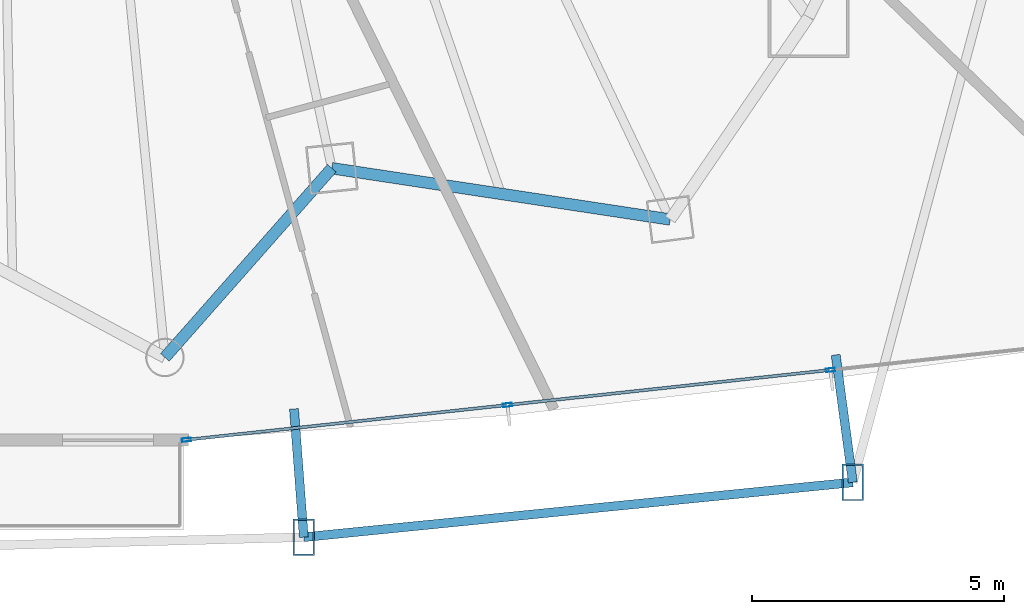
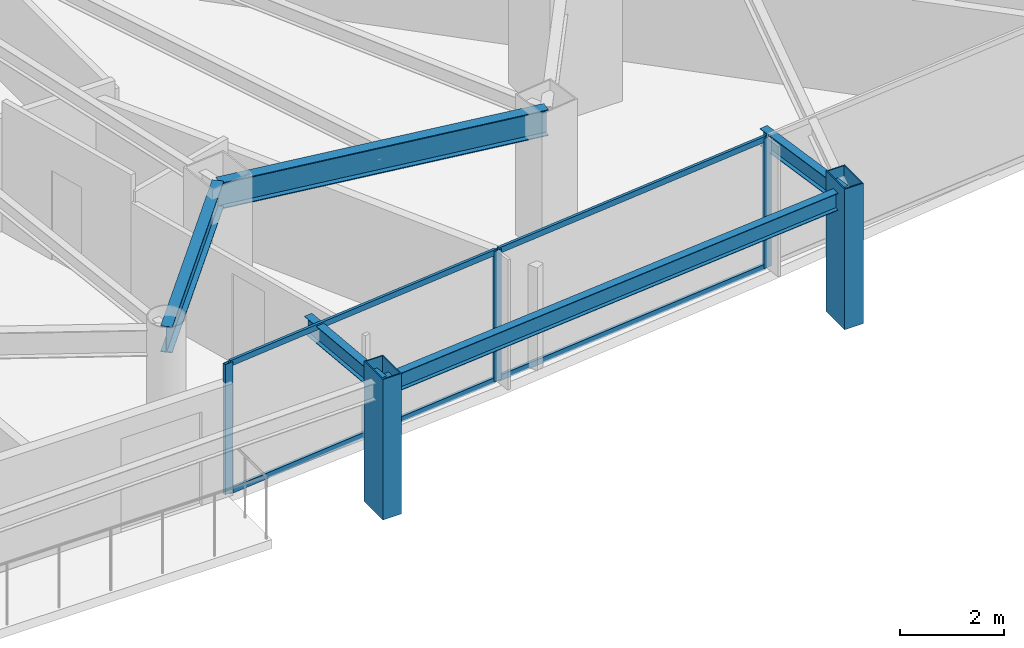
# One storey, part 12 of 34: 9 members, 5 beams, 1 element without a shape of its own.
"""IFC4 building model written with IfcOpenShell, lengths in metres."""

from ifc_helpers import new_model, si_unit, direction, frame, origin, origin_2d, place, context, subcontext, project, spatial, hollow_rectangle, i_section, extrude, material, layer, layer_set, material_profile, profile_set, type_object, element, aggregate, save


model = new_model("IFC4")

# Units and contexts
model_context = context("Model", 3, precision=1e-05, world=origin(), true_north=direction((0.0, 1.0)))
body_context = subcontext(model_context, "Body", "Model", "MODEL_VIEW")
ifc_project = project(units=[si_unit("LENGTHUNIT", "METRE"), si_unit("AREAUNIT", "SQUARE_METRE"), si_unit("VOLUMEUNIT", "CUBIC_METRE"), si_unit("PLANEANGLEUNIT", "RADIAN"), si_unit("MASSUNIT", "GRAM", prefix="KILO")], contexts=[model_context])

# Site, building, storey
site_placement = place(None, origin())
site = spatial("IfcSite", under=ifc_project, at=site_placement, CompositionType="ELEMENT")
building_placement = place(site_placement, origin())
building = spatial("IfcBuilding", under=site, at=building_placement, Name="Orvanel Arch Residences", CompositionType="ELEMENT")
storey_placement = place(building_placement, frame((0.0, 0.0, 67.550048828125)))
storey = spatial("IfcBuildingStorey", under=building, at=storey_placement, Name="L18", CompositionType="ELEMENT", Elevation=67.550048828125)

# Members
ifc_material_1 = material(Name="Structural steel AS/NZS 3678 Grade 350", Category="steel")
ifc_material_profile_1 = material_profile(ifc_material_1, hollow_rectangle(XDim=0.419921875, YDim=0.719970703125, WallThickness=0.02490234375, at=origin_2d()), Name="RHS720x420x25")
ifc_profile_set_1 = profile_set([ifc_material_profile_1], Name="Structural steel AS/NZS 3678 Grade 350")
member_type_1 = type_object("IfcMemberType", Name="CH-720RHS-EXT", PredefinedType="CHORD", material=ifc_profile_set_1)
for number, where, z_axis, x_axis, name in (
    (1, (41.794921875, 0.0419921875, 0.0), (0.0, 0.0, 1.0), (1.0, 0.0, 0.0), "L18 Outer Perimeter Frame Post 07"),
    (2, (52.677978515625, 1.12890625, 0.0), (0.0, 0.0, 1.0), (1.0, 0.0, 0.0), "L18 Outer Perimeter Frame Post 08"),
):
    element("IfcMember", number, at=place(storey_placement, frame(where, z_axis=z_axis, x_axis=x_axis)), inside=storey, type_object=member_type_1, Name=name, PredefinedType="CHORD", context=body_context, shape_type="SweptSolid", body=[
        extrude(hollow_rectangle(XDim=0.419921875, YDim=0.719970703125, WallThickness=0.02490234375, at=origin_2d()), origin(), (0.0, 0.0, 1.0), 3.300048828125),
    ])

# Curtain wall, members
ifc_material_2 = material(Name="Bronze-anodised aluminium AA6063-T6", Category="aluminium")
ifc_layer = layer(ifc_material_2, 0.179931640625)
ifc_layer_set = layer_set([ifc_layer], Name="Bronze-anodised aluminium AA6063-T6")
curtain_wall_type = type_object("IfcCurtainWallType", Name="CW2-LOW-SYS", PredefinedType="NOTDEFINED", material=ifc_layer_set)
curtain_wall_placement = place(storey_placement, origin())
curtain_wall = element("IfcCurtainWall", 3, at=curtain_wall_placement, inside=storey, type_object=curtain_wall_type, Name="L18 CW2-LOW-SYS Unitised Curtain Wall", PredefinedType="NOTDEFINED")
ifc_material_profile_2 = material_profile(ifc_material_2, hollow_rectangle(XDim=0.070068359375, YDim=0.179931640625, WallThickness=0.00439453125, at=origin_2d()), Name="ALU180x70x4.5")
ifc_profile_set_2 = profile_set([ifc_material_profile_2], Name="Bronze-anodised aluminium AA6063-T6")
member_type_2 = type_object("IfcMemberType", Name="MUL-180x70", PredefinedType="MULLION", material=ifc_profile_set_2)
member_1_placement = place(storey_placement, frame((39.4677734375, 1.9716796875, 0.0), z_axis=(0.0, 0.0, 1.0), x_axis=(-0.107811076303, 0.994171399622, 0.0)))
member_1 = element("IfcMember", 4, at=member_1_placement, type_object=member_type_2, Name="CW-S2 mullion 1", PredefinedType="MULLION", context=body_context, shape_type="SweptSolid", body=[
    extrude(hollow_rectangle(XDim=0.070068359375, YDim=0.179931640625, WallThickness=0.00439453125, at=origin_2d()), origin(), (0.0, 0.0, 1.0), 3.06005859375),
])
member_2_placement = place(storey_placement, frame((45.832763671875, 2.662109375, 0.0), z_axis=(0.0, 0.0, 1.0), x_axis=(-0.107811076303, 0.994171399622, 0.0)))
member_2 = element("IfcMember", 5, at=member_2_placement, type_object=member_type_2, Name="CW-S2 mullion 2", PredefinedType="MULLION", context=body_context, shape_type="SweptSolid", body=[
    extrude(hollow_rectangle(XDim=0.070068359375, YDim=0.179931640625, WallThickness=0.00439453125, at=origin_2d()), origin(), (0.0, 0.0, 1.0), 3.06005859375),
])
member_3_placement = place(storey_placement, frame((52.232421875, 3.35595703125, 0.0), z_axis=(0.0, 0.0, 1.0), x_axis=(-0.107811076303, 0.994171399622, 0.0)))
member_3 = element("IfcMember", 6, at=member_3_placement, type_object=member_type_2, Name="CW-S2 mullion 3", PredefinedType="MULLION", context=body_context, shape_type="SweptSolid", body=[
    extrude(hollow_rectangle(XDim=0.070068359375, YDim=0.179931640625, WallThickness=0.00439453125, at=origin_2d()), origin(), (0.0, 0.0, 1.0), 3.06005859375),
])

# Beams
ifc_material_3 = material(Name="Structural steel AS/NZS 3679.1 Grade 300 (300 MPa)", Category="steel")
ifc_material_profile_3 = material_profile(ifc_material_3, i_section(OverallWidth=0.177978515625, OverallDepth=0.406005859375, WebThickness=0.0078125, FlangeThickness=0.0126953125, at=origin_2d()), Name="410UB59.7")
ifc_profile_set_3 = profile_set([ifc_material_profile_3], Name="Structural steel AS/NZS 3679.1 Grade 300 (300 MPa)")
beam_type_1 = type_object("IfcBeamType", Name="OB-410UB-EXT", PredefinedType="SPANDREL", material=ifc_profile_set_3)
beam_1_placement = place(storey_placement, frame((41.60107421875, 2.5849609375, 2.85693359375), z_axis=(0.076008362241, -0.997107180232, 0.0), x_axis=(0.997107180232, 0.076008362241, 0.0)))
element("IfcBeam", 7, at=beam_1_placement, inside=storey, type_object=beam_type_1, Name="L18 Outer Frame Radial Tie Beam 07", PredefinedType="SPANDREL", context=body_context, shape_type="SweptSolid", body=[
    extrude(i_section(OverallWidth=0.177978515625, OverallDepth=0.406005859375, WebThickness=0.0078125, FlangeThickness=0.0126953125, at=origin_2d()), origin(), (0.0, 0.0, 1.0), 2.55029296875),
])
beam_2_placement = place(storey_placement, frame((41.794921875, 0.0419921875, 2.85693359375), z_axis=(0.995049779825, 0.099377742329, 0.0), x_axis=(-0.099377742329, 0.995049779825, 0.0)))
element("IfcBeam", 8, at=beam_2_placement, inside=storey, type_object=beam_type_1, Name="L18 Outer Perimeter Floor Ring Beam 07", PredefinedType="SPANDREL", context=body_context, shape_type="SweptSolid", body=[
    extrude(i_section(OverallWidth=0.177978515625, OverallDepth=0.406005859375, WebThickness=0.0078125, FlangeThickness=0.0126953125, at=origin_2d()), origin(), (0.0, 0.0, 1.0), 10.937255859375),
])
beam_3_placement = place(storey_placement, frame((52.337890625, 3.656005859375, 2.85693359375), z_axis=(0.13337403365, -0.991065773371, 0.0), x_axis=(0.991065773371, 0.13337403365, 0.0)))
element("IfcBeam", 9, at=beam_3_placement, inside=storey, type_object=beam_type_1, Name="L18 Outer Frame Radial Tie Beam 08", PredefinedType="SPANDREL", context=body_context, shape_type="SweptSolid", body=[
    extrude(i_section(OverallWidth=0.177978515625, OverallDepth=0.406005859375, WebThickness=0.0078125, FlangeThickness=0.0126953125, at=origin_2d()), origin(), (0.0, 0.0, 1.0), 2.5498046875),
])
ifc_material_profile_4 = material_profile(ifc_material_3, i_section(OverallWidth=0.22900390625, OverallDepth=0.612060546875, WebThickness=0.011962890625, FlangeThickness=0.01953125, at=origin_2d()), Name="610UB125")
ifc_profile_set_4 = profile_set([ifc_material_profile_4], Name="Structural steel AS/NZS 3679.1 Grade 300 (300 MPa)")
beam_type_2 = type_object("IfcBeamType", Name="SP-610UB", PredefinedType="SPANDREL", material=ifc_profile_set_4)
beam_4_placement = place(storey_placement, frame((39.0419921875, 3.60498046875, 2.75390625), z_axis=(0.661650698195, 0.749812212209, 0.0), x_axis=(-0.749812212209, 0.661650698195, 0.0)))
element("IfcBeam", 10, at=beam_4_placement, inside=storey, type_object=beam_type_2, Name="L18 Perimeter Spandrel Beam 08", PredefinedType="SPANDREL", context=body_context, shape_type="SweptSolid", body=[
    extrude(i_section(OverallWidth=0.22900390625, OverallDepth=0.612060546875, WebThickness=0.011962890625, FlangeThickness=0.01953125, at=origin_2d()), origin(), (0.0, 0.0, 1.0), 5.001220703125),
])
beam_5_placement = place(storey_placement, frame((42.35107421875, 7.35498046875, 2.75390625), z_axis=(0.988726323014, -0.149733958002, 0.0), x_axis=(0.149733958002, 0.988726323014, 0.0)))
element("IfcBeam", 11, at=beam_5_placement, inside=storey, type_object=beam_type_2, Name="L18 Perimeter Spandrel Beam 09", PredefinedType="SPANDREL", context=body_context, shape_type="SweptSolid", body=[
    extrude(i_section(OverallWidth=0.22900390625, OverallDepth=0.612060546875, WebThickness=0.011962890625, FlangeThickness=0.01953125, at=origin_2d()), origin(), (0.0, 0.0, 1.0), 6.784423828125),
])

# Member
ifc_material_profile_5 = material_profile(ifc_material_2, hollow_rectangle(XDim=0.06005859375, YDim=0.135009765625, WallThickness=0.00390625, at=origin_2d()), Name="ALU135x60x4")
ifc_profile_set_5 = profile_set([ifc_material_profile_5], Name="Bronze-anodised aluminium AA6063-T6")
member_type_3 = type_object("IfcMemberType", Name="TRN-135x60", PredefinedType="USERDEFINED", material=ifc_profile_set_5)
member_4_placement = place(storey_placement, frame((39.502685546875, 1.9755859375, 0.030029296875), z_axis=(0.994172253267, 0.107803204194, 0.0), x_axis=(-0.107803204194, 0.994172253267, 0.0)))
member_4 = element("IfcMember", 12, at=member_4_placement, type_object=member_type_3, Name="CW-S2 transom 1.1", ObjectType="TRANSOM", PredefinedType="USERDEFINED", context=body_context, shape_type="SweptSolid", body=[
    extrude(hollow_rectangle(XDim=0.06005859375, YDim=0.135009765625, WallThickness=0.00390625, at=origin_2d()), origin(), (0.0, 0.0, 1.0), 6.33203125),
])

member_5_placement = place(storey_placement, frame((39.502685546875, 1.9755859375, 3.030029296875), z_axis=(0.994172253267, 0.107803204194, 0.0), x_axis=(-0.107803204194, 0.994172253267, 0.0)))
member_5 = element("IfcMember", 13, at=member_5_placement, type_object=member_type_3, Name="CW-S2 transom 1.2", ObjectType="TRANSOM", PredefinedType="USERDEFINED", context=body_context, shape_type="SweptSolid", body=[
    extrude(hollow_rectangle(XDim=0.06005859375, YDim=0.135009765625, WallThickness=0.00390625, at=origin_2d()), origin(), (0.0, 0.0, 1.0), 6.33203125),
])

member_6_placement = place(storey_placement, frame((45.867431640625, 2.665771484375, 0.030029296875), z_axis=(0.994170223939, 0.107821917221, 0.0), x_axis=(-0.107821917221, 0.994170223939, 0.0)))
member_6 = element("IfcMember", 14, at=member_6_placement, type_object=member_type_3, Name="CW-S2 transom 2.1", ObjectType="TRANSOM", PredefinedType="USERDEFINED", context=body_context, shape_type="SweptSolid", body=[
    extrude(hollow_rectangle(XDim=0.06005859375, YDim=0.135009765625, WallThickness=0.00390625, at=origin_2d()), origin(), (0.0, 0.0, 1.0), 6.3671875),
])

member_7_placement = place(storey_placement, frame((45.867431640625, 2.665771484375, 3.030029296875), z_axis=(0.994170223939, 0.107821917221, 0.0), x_axis=(-0.107821917221, 0.994170223939, 0.0)))
member_7 = element("IfcMember", 15, at=member_7_placement, type_object=member_type_3, Name="CW-S2 transom 2.2", ObjectType="TRANSOM", PredefinedType="USERDEFINED", context=body_context, shape_type="SweptSolid", body=[
    extrude(hollow_rectangle(XDim=0.06005859375, YDim=0.135009765625, WallThickness=0.00390625, at=origin_2d()), origin(), (0.0, 0.0, 1.0), 6.3671875),
])

aggregate(curtain_wall, [member_1, member_2, member_3, member_4, member_5, member_6, member_7])

save(model, "model.ifc")
